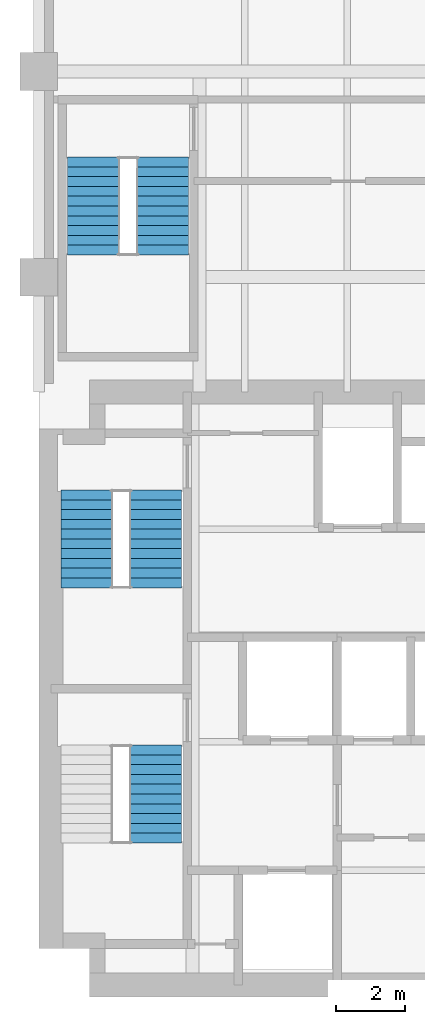
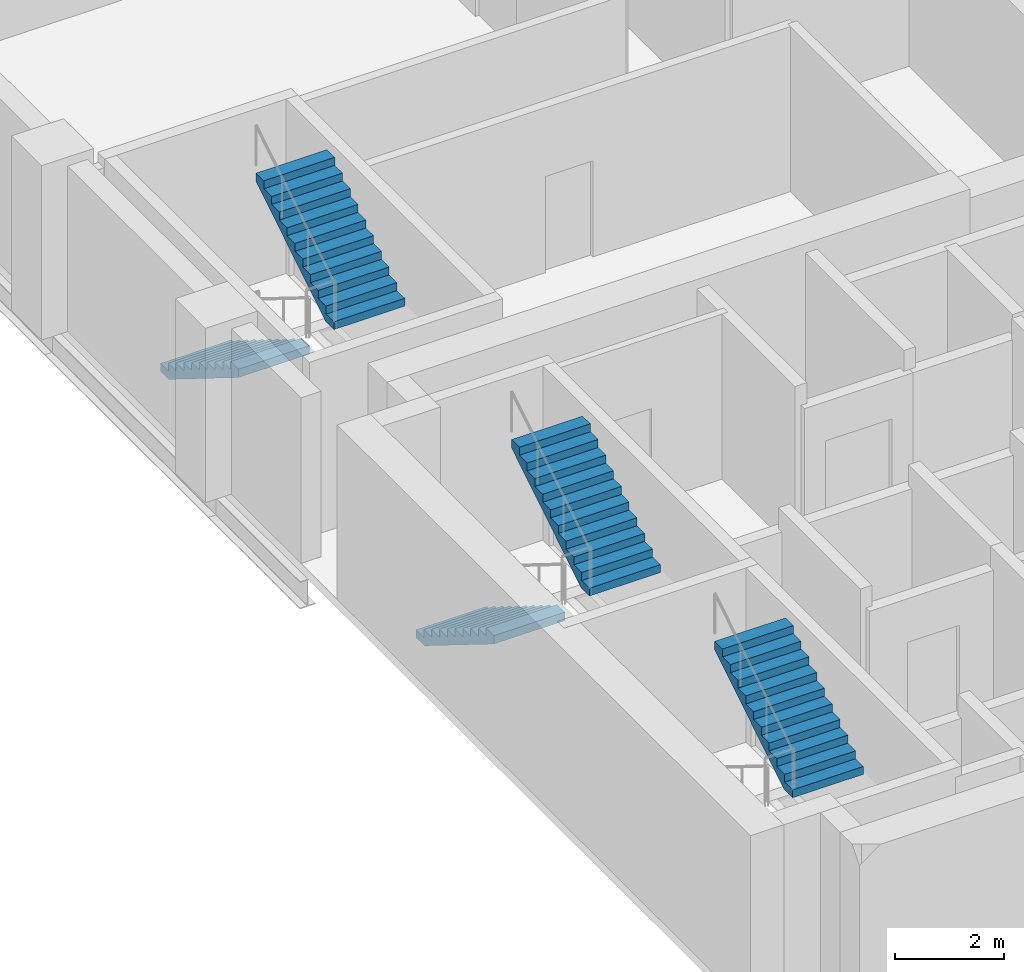
# One storey, part 7 of 8: 5 stair flights, 3 elements without a shape of their own.
"""IFC4 building model written with IfcOpenShell, lengths in metres."""

import ifcopenshell
import ifcopenshell.guid

model = None  # the IFC model being written
_history = None  # IfcOwnerHistory: only IFC2X3 demands one
_inside = {}  # id of a spatial element -> (the spatial element, [elements in it])
_under = {}  # id of a project, library or spatial element -> (it, [spatial elements below it])
_declared = {}  # id of a project -> (the project, [libraries it declares])
_typed = {}  # id of a type object -> (the type object, [elements of that type])
_made_of = {}  # id of a material, layer set ... -> (it, [elements and type objects made of it])


def new_model(schema):
    """Start an empty IFC model of exactly this schema.

    Asked for "IFC4X3", IfcOpenShell would pick the latest addendum, in which some entities
    have other attributes; the version numbers below select the first issue.
    IFC2X3 requires an IfcOwnerHistory on every rooted entity: one is made here for all.
    """
    global model, _history
    if schema == "IFC4X3":
        model = ifcopenshell.file(schema_version=(4, 3, 0, 0))
    else:
        model = ifcopenshell.file(schema=schema)
    _inside.clear()
    _under.clear()
    _declared.clear()
    _typed.clear()
    _made_of.clear()
    _history = None
    if model.schema == "IFC2X3":
        org = make("IfcOrganization", Name="unknown")
        user = make(
            "IfcPersonAndOrganization",
            ThePerson=make("IfcPerson", FamilyName="unknown"),
            TheOrganization=org,
        )
        app = make(
            "IfcApplication",
            ApplicationDeveloper=org,
            Version="unknown",
            ApplicationFullName="unknown",
            ApplicationIdentifier="unknown",
        )
        _history = make(
            "IfcOwnerHistory",
            OwningUser=user,
            OwningApplication=app,
            ChangeAction="ADDED",
            CreationDate=0,
        )
    return model


def make(cls, **values):
    """One entity of the class cls with the attributes given. An attribute that is None is left unset."""
    return model.create_entity(
        cls, **{name: value for name, value in values.items() if value is not None}
    )


def rooted(cls, **values):
    """An entity with a GlobalId (a new one), such as an element, a storey or a relation."""
    return make(cls, GlobalId=ifcopenshell.guid.new(), OwnerHistory=_history, **values)


def si_unit(unit_type, name, prefix=None):
    """IfcSIUnit, for example si_unit("LENGTHUNIT", "METRE", prefix="MILLI")."""
    return make("IfcSIUnit", UnitType=unit_type, Prefix=prefix, Name=name)


def assignment(units):
    """IfcUnitAssignment: the units of a project."""
    return None if units is None else make("IfcUnitAssignment", Units=units)


def point(xyz):
    """IfcCartesianPoint."""
    return None if xyz is None else make("IfcCartesianPoint", Coordinates=xyz)


def direction(xyz):
    """IfcDirection."""
    return None if xyz is None else make("IfcDirection", DirectionRatios=xyz)


def frame(location, z_axis=None, x_axis=None):
    """IfcAxis2Placement3D, a coordinate frame: its origin and axes. An axis left out is left unset."""
    return make(
        "IfcAxis2Placement3D",
        Location=point(location),
        Axis=direction(z_axis),
        RefDirection=direction(x_axis),
    )


def origin():
    """The frame at (0, 0, 0) with its axes left unset."""
    return frame((0.0, 0.0, 0.0))


def place(relative_to, where):
    """IfcLocalPlacement: puts the frame where relative to a parent placement (None: the world)."""
    return make(
        "IfcLocalPlacement", PlacementRelTo=relative_to, RelativePlacement=where
    )


def context(
    kind, dimensions, precision=None, world=None, true_north=None, identifier=None
):
    """IfcGeometricRepresentationContext, for example the 3D "Model" context."""
    return make(
        "IfcGeometricRepresentationContext",
        ContextIdentifier=identifier,
        ContextType=kind,
        CoordinateSpaceDimension=dimensions,
        Precision=precision,
        WorldCoordinateSystem=world,
        TrueNorth=true_north,
    )


def subcontext(parent, identifier, kind, view, scale=None):
    """IfcGeometricRepresentationSubContext, for example "Body" below "Model"."""
    return make(
        "IfcGeometricRepresentationSubContext",
        ContextIdentifier=identifier,
        ContextType=kind,
        ParentContext=parent,
        TargetScale=scale,
        TargetView=view,
    )


def project(units=None, contexts=None):
    """IfcProject with its units and contexts."""
    return rooted(
        "IfcProject",
        Name="project",
        RepresentationContexts=contexts,
        UnitsInContext=assignment(units),
    )


def spatial(cls, under=None, at=None, **own):
    """A site, building, storey or space (cls), placed at a placement, below another one or the project."""
    s = rooted(cls, ObjectPlacement=at, **own)
    if under is not None:
        _under.setdefault(under.id(), (under, []))[1].append(s)
    return s


def polyline(points):
    """IfcPolyline through the points."""
    return make("IfcPolyline", Points=[point(p) for p in points])


def outline(outer, holes=None, kind="AREA"):
    """IfcArbitraryClosedProfileDef: a profile drawn as a closed curve; with holes, ...WithVoids."""
    if holes is None:
        return make("IfcArbitraryClosedProfileDef", ProfileType=kind, OuterCurve=outer)
    return make(
        "IfcArbitraryProfileDefWithVoids",
        ProfileType=kind,
        OuterCurve=outer,
        InnerCurves=holes,
    )


def extrude(swept, where, along, depth):
    """IfcExtrudedAreaSolid: the profile swept, set in the frame where, extruded along a direction by depth."""
    return make(
        "IfcExtrudedAreaSolid",
        SweptArea=swept,
        Position=where,
        ExtrudedDirection=direction(along),
        Depth=depth,
    )


def shape(context_of_items, identifier, shape_type, items):
    """IfcShapeRepresentation: the items that make up one representation, for example the "Body"."""
    return make(
        "IfcShapeRepresentation",
        ContextOfItems=context_of_items,
        RepresentationIdentifier=identifier,
        RepresentationType=shape_type,
        Items=items,
    )


def material(Name=None, Category=None):
    """IfcMaterial."""
    return make("IfcMaterial", Name=Name, Category=Category)


def made_of(thing, what):
    """Note that an element or type object is made of a material, layer set ...; save() writes the relation."""
    if what is not None:
        _made_of.setdefault(what.id(), (what, []))[1].append(thing)
    return thing


def type_object(cls, material=None, **own):
    """A type object (cls), such as IfcWallType, which elements share."""
    return made_of(rooted(cls, **own), material)


def element(
    cls,
    number,
    at=None,
    inside=None,
    cuts=None,
    type_object=None,
    material=None,
    context=None,
    identifier="Body",
    shape_type=None,
    held_by="IfcProductDefinitionShape",
    body=None,
    shapes=None,
    **own,
):
    """One element of the class cls, such as IfcWall. Its Tag is "e" and its number.

    at: its placement. inside: the storey or other place that contains it. cuts: it is an
    opening in that element (IfcRelVoidsElement). A single representation is given by context,
    identifier, shape_type and body (its items); several are given by shapes. held_by: the class
    of the entity that holds the representations. save() writes the other relations.
    """
    e = rooted(cls, Tag="e%d" % number, ObjectPlacement=at, **own)
    if body is not None:
        shapes = [shape(context, identifier, shape_type, body)]
    if shapes is not None:
        e.Representation = make(held_by, Representations=shapes)
    if inside is not None:
        _inside.setdefault(inside.id(), (inside, []))[1].append(e)
    if cuts is not None:
        rooted(
            "IfcRelVoidsElement", RelatingBuildingElement=cuts, RelatedOpeningElement=e
        )
    if type_object is not None:
        _typed.setdefault(type_object.id(), (type_object, []))[1].append(e)
    return made_of(e, material)


def aggregate(whole, parts):
    """IfcRelAggregates: a whole, such as a stair, and the parts it consists of."""
    return rooted("IfcRelAggregates", RelatingObject=whole, RelatedObjects=parts)


def save(model, path):
    """Write the relations noted so far, then the file.

    IfcRelAggregates (storeys below a building ...), IfcRelContainedInSpatialStructure (elements
    in a storey), IfcRelDefinesByType, IfcRelAssociatesMaterial and IfcRelDeclares: one each for
    every whole, place, type object, material and project.
    """
    for whole, parts in _under.values():
        aggregate(whole, parts)
    for where, things in _inside.values():
        rooted(
            "IfcRelContainedInSpatialStructure",
            RelatedElements=things,
            RelatingStructure=where,
        )
    for kind, things in _typed.values():
        rooted("IfcRelDefinesByType", RelatedObjects=things, RelatingType=kind)
    for what, things in _made_of.values():
        rooted("IfcRelAssociatesMaterial", RelatedObjects=things, RelatingMaterial=what)
    for by, libraries in _declared.values():
        rooted("IfcRelDeclares", RelatingContext=by, RelatedDefinitions=libraries)
    model.write(path)


model = new_model("IFC4")

# Units and contexts
model_context = context("Model", 3, precision=1e-05, world=origin(), true_north=direction((0.0, 1.0)))
body_context = subcontext(model_context, "Body", "Model", "MODEL_VIEW")
ifc_project = project(units=[si_unit("LENGTHUNIT", "METRE"), si_unit("AREAUNIT", "SQUARE_METRE"), si_unit("VOLUMEUNIT", "CUBIC_METRE"), si_unit("PLANEANGLEUNIT", "RADIAN"), si_unit("MASSUNIT", "GRAM", prefix="KILO")], contexts=[model_context])

# Site, building, storey
site_placement = place(None, origin())
site = spatial("IfcSite", under=ifc_project, at=site_placement, CompositionType="ELEMENT")
building_placement = place(site_placement, origin())
building = spatial("IfcBuilding", under=site, at=building_placement, Name="Mawjdan Bourse Tower", CompositionType="ELEMENT")
storey_placement = place(building_placement, frame((0.0, 0.0, 101.10009765625)))
storey = spatial("IfcBuildingStorey", under=building, at=storey_placement, Name="L23", CompositionType="ELEMENT", Elevation=101.10009765625)

# Stair, stair flight
ifc_material = material(Name="Concrete C50/60", Category="concrete")
stair_type = type_object("IfcStairType", Name="STR-CORE-1500", PredefinedType="HALF_TURN_STAIR", material=ifc_material)
stair_1_placement = place(storey_placement, origin())
stair_1 = element("IfcStair", 1, at=stair_1_placement, inside=storey, type_object=stair_type, Name="L23 Exit Stair 1 (Core South-West)", PredefinedType="HALF_TURN_STAIR")
stair_flight_type = type_object("IfcStairFlightType", Name="SFL-RC-1500", PredefinedType="STRAIGHT", material=ifc_material)
stair_flight_1_placement = place(storey_placement, frame((9.409912109375, 7.5, 1.949951171875), z_axis=(0.0, 0.0, 1.0), x_axis=(0.0, 1.0, 0.0)))
stair_flight_1 = element("IfcStairFlight", 2, at=stair_flight_1_placement, type_object=stair_flight_type, Name="ST1-L23 flight 2", NumberOfRisers=11, NumberOfTreads=10, PredefinedType="STRAIGHT", RiserHeight=0.177273, TreadLength=0.285, context=body_context, shape_type="SweptSolid", body=[
    extrude(outline(polyline([(0.0, 0.0), (0.0, 0.17724609375), (0.284912109375, 0.17724609375), (0.284912109375, 0.3544921875), (0.570068359375, 0.3544921875), (0.570068359375, 0.53173828125), (0.85498046875, 0.53173828125), (0.85498046875, 0.708984375), (1.139892578125, 0.708984375), (1.139892578125, 0.886474609375), (1.425048828125, 0.886474609375), (1.425048828125, 1.063720703125), (1.7099609375, 1.063720703125), (1.7099609375, 1.240966796875), (1.9951171875, 1.240966796875), (1.9951171875, 1.418212890625), (2.280029296875, 1.418212890625), (2.280029296875, 1.595458984375), (2.56494140625, 1.595458984375), (2.56494140625, 1.772705078125), (2.85009765625, 1.772705078125), (2.85009765625, 1.949951171875), (2.85009765625, 1.58447265625), (0.302734375, 0.0), (0.0, 0.0)])), frame((0.0, 0.75, 0.0), z_axis=(0.0, -1.0, 0.0), x_axis=(1.0, 0.0, 0.0)), (0.0, 0.0, 1.0), 1.5),
])
aggregate(stair_1, [stair_flight_1])

# Stair, stair flights
stair_2_placement = place(storey_placement, origin())
stair_2 = element("IfcStair", 3, at=stair_2_placement, inside=storey, type_object=stair_type, Name="L23 Exit Stair 2 (Core North-West)", PredefinedType="HALF_TURN_STAIR")
stair_flight_2_placement = place(storey_placement, frame((7.389892578125, 17.7900390625, 0.0), z_axis=(0.0, 0.0, 1.0), x_axis=(0.0, -1.0, 0.0)))
stair_flight_2 = element("IfcStairFlight", 4, at=stair_flight_2_placement, type_object=stair_flight_type, Name="ST2-L23 flight 1", NumberOfRisers=11, NumberOfTreads=10, PredefinedType="STRAIGHT", RiserHeight=0.177273, TreadLength=0.285, context=body_context, shape_type="SweptSolid", body=[
    extrude(outline(polyline([(0.0, 0.0), (0.0, 0.17724609375), (0.284912109375, 0.17724609375), (0.284912109375, 0.3544921875), (0.570068359375, 0.3544921875), (0.570068359375, 0.53173828125), (0.85498046875, 0.53173828125), (0.85498046875, 0.708984375), (1.139892578125, 0.708984375), (1.139892578125, 0.886474609375), (1.425048828125, 0.886474609375), (1.425048828125, 1.063720703125), (1.7099609375, 1.063720703125), (1.7099609375, 1.240966796875), (1.9951171875, 1.240966796875), (1.9951171875, 1.418212890625), (2.280029296875, 1.418212890625), (2.280029296875, 1.595458984375), (2.56494140625, 1.595458984375), (2.56494140625, 1.772705078125), (2.85009765625, 1.772705078125), (2.85009765625, 1.949951171875), (2.85009765625, 1.58447265625), (0.302734375, 0.0), (0.0, 0.0)])), frame((0.0, 0.75, 0.0), z_axis=(0.0, -1.0, 0.0), x_axis=(1.0, 0.0, 0.0)), (0.0, 0.0, 1.0), 1.5),
])
stair_flight_3_placement = place(storey_placement, frame((9.409912109375, 14.93994140625, 1.949951171875), z_axis=(0.0, 0.0, 1.0), x_axis=(0.0, 1.0, 0.0)))
stair_flight_3 = element("IfcStairFlight", 5, at=stair_flight_3_placement, type_object=stair_flight_type, Name="ST2-L23 flight 2", NumberOfRisers=11, NumberOfTreads=10, PredefinedType="STRAIGHT", RiserHeight=0.177273, TreadLength=0.285, context=body_context, shape_type="SweptSolid", body=[
    extrude(outline(polyline([(0.0, 0.0), (0.0, 0.17724609375), (0.284912109375, 0.17724609375), (0.284912109375, 0.3544921875), (0.570068359375, 0.3544921875), (0.570068359375, 0.53173828125), (0.85498046875, 0.53173828125), (0.85498046875, 0.708984375), (1.139892578125, 0.708984375), (1.139892578125, 0.886474609375), (1.425048828125, 0.886474609375), (1.425048828125, 1.063720703125), (1.7099609375, 1.063720703125), (1.7099609375, 1.240966796875), (1.9951171875, 1.240966796875), (1.9951171875, 1.418212890625), (2.280029296875, 1.418212890625), (2.280029296875, 1.595458984375), (2.56494140625, 1.595458984375), (2.56494140625, 1.772705078125), (2.85009765625, 1.772705078125), (2.85009765625, 1.949951171875), (2.85009765625, 1.58447265625), (0.302734375, 0.0), (0.0, 0.0)])), frame((0.0, 0.75, 0.0), z_axis=(0.0, -1.0, 0.0), x_axis=(1.0, 0.0, 0.0)), (0.0, 0.0, 1.0), 1.5),
])
aggregate(stair_2, [stair_flight_2, stair_flight_3])

stair_3_placement = place(storey_placement, origin())
stair_3 = element("IfcStair", 6, at=stair_3_placement, inside=storey, type_object=stair_type, Name="L23 Exit Stair 3 (North Wing)", PredefinedType="HALF_TURN_STAIR")
stair_flight_4_placement = place(storey_placement, frame((7.590087890625, 27.5, 0.0), z_axis=(0.0, 0.0, 1.0), x_axis=(0.0, -1.0, 0.0)))
stair_flight_4 = element("IfcStairFlight", 7, at=stair_flight_4_placement, type_object=stair_flight_type, Name="ST3-L23 flight 1", NumberOfRisers=11, NumberOfTreads=10, PredefinedType="STRAIGHT", RiserHeight=0.177273, TreadLength=0.285, context=body_context, shape_type="SweptSolid", body=[
    extrude(outline(polyline([(0.0, 0.0), (0.0, 0.17724609375), (0.284912109375, 0.17724609375), (0.284912109375, 0.3544921875), (0.570068359375, 0.3544921875), (0.570068359375, 0.53173828125), (0.85498046875, 0.53173828125), (0.85498046875, 0.708984375), (1.139892578125, 0.708984375), (1.139892578125, 0.886474609375), (1.425048828125, 0.886474609375), (1.425048828125, 1.063720703125), (1.7099609375, 1.063720703125), (1.7099609375, 1.240966796875), (1.9951171875, 1.240966796875), (1.9951171875, 1.418212890625), (2.280029296875, 1.418212890625), (2.280029296875, 1.595458984375), (2.56494140625, 1.595458984375), (2.56494140625, 1.772705078125), (2.85009765625, 1.772705078125), (2.85009765625, 1.949951171875), (2.85009765625, 1.58447265625), (0.302734375, 0.0), (0.0, 0.0)])), frame((0.0, 0.75, 0.0), z_axis=(0.0, -1.0, 0.0), x_axis=(1.0, 0.0, 0.0)), (0.0, 0.0, 1.0), 1.5),
])
stair_flight_5_placement = place(storey_placement, frame((9.610107421875, 24.64990234375, 1.949951171875), z_axis=(0.0, 0.0, 1.0), x_axis=(0.0, 1.0, 0.0)))
stair_flight_5 = element("IfcStairFlight", 8, at=stair_flight_5_placement, type_object=stair_flight_type, Name="ST3-L23 flight 2", NumberOfRisers=11, NumberOfTreads=10, PredefinedType="STRAIGHT", RiserHeight=0.177273, TreadLength=0.285, context=body_context, shape_type="SweptSolid", body=[
    extrude(outline(polyline([(0.0, 0.0), (0.0, 0.17724609375), (0.284912109375, 0.17724609375), (0.284912109375, 0.3544921875), (0.570068359375, 0.3544921875), (0.570068359375, 0.53173828125), (0.85498046875, 0.53173828125), (0.85498046875, 0.708984375), (1.139892578125, 0.708984375), (1.139892578125, 0.886474609375), (1.425048828125, 0.886474609375), (1.425048828125, 1.063720703125), (1.7099609375, 1.063720703125), (1.7099609375, 1.240966796875), (1.9951171875, 1.240966796875), (1.9951171875, 1.418212890625), (2.280029296875, 1.418212890625), (2.280029296875, 1.595458984375), (2.56494140625, 1.595458984375), (2.56494140625, 1.772705078125), (2.85009765625, 1.772705078125), (2.85009765625, 1.949951171875), (2.85009765625, 1.58447265625), (0.302734375, 0.0), (0.0, 0.0)])), frame((0.0, 0.75, 0.0), z_axis=(0.0, -1.0, 0.0), x_axis=(1.0, 0.0, 0.0)), (0.0, 0.0, 1.0), 1.5),
])
aggregate(stair_3, [stair_flight_4, stair_flight_5])

save(model, "model.ifc")
